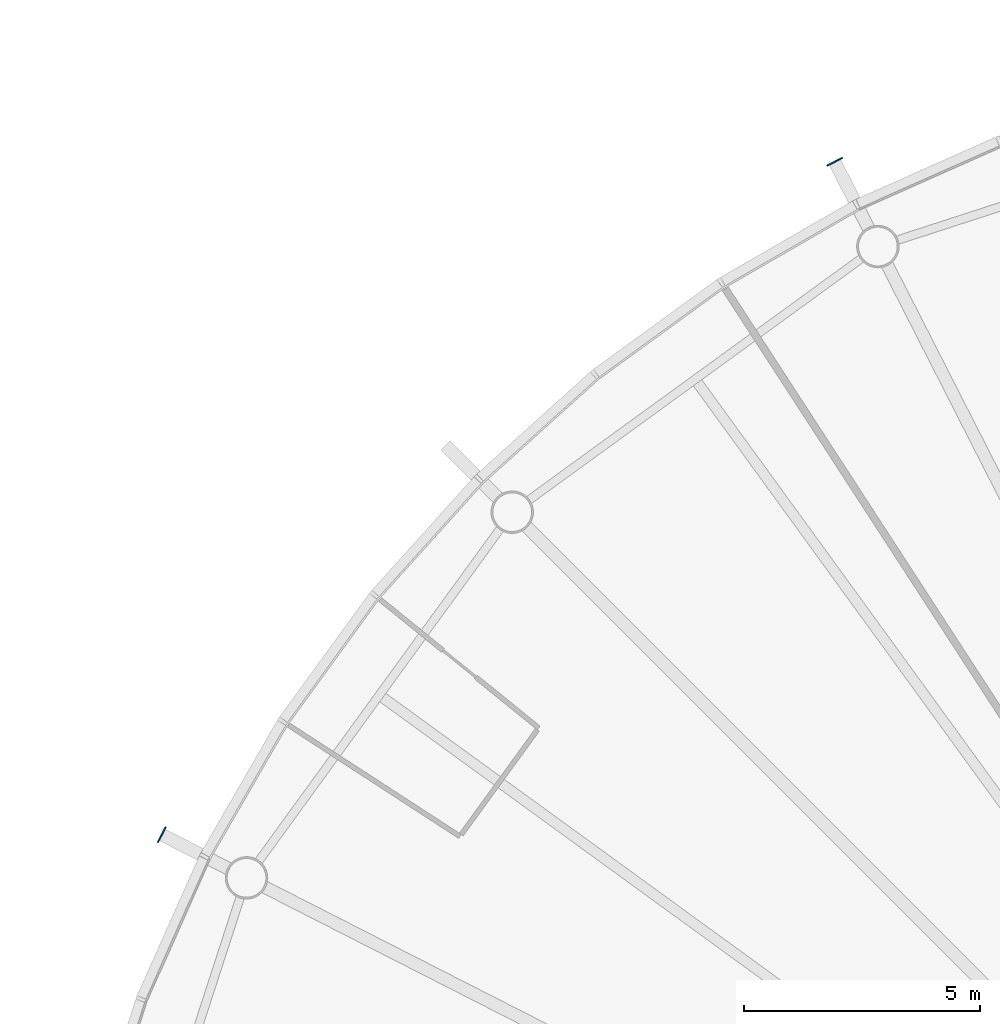
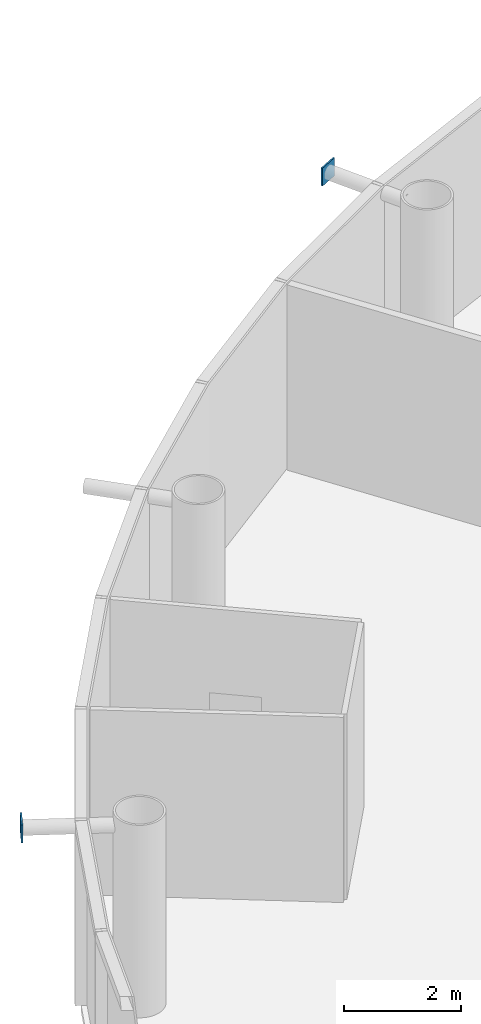
# One storey, part 10 of 19: 2 discrete accessories.
"""IFC4 building model written with IfcOpenShell, lengths in metres."""

from ifc_helpers import new_model, si_unit, direction, frame, origin, origin_2d, place, context, subcontext, project, spatial, rectangle, extrude, material, element, save


model = new_model("IFC4")

# Units and contexts
model_context = context("Model", 3, precision=1e-05, world=origin(), true_north=direction((0.0, 1.0)))
body_context = subcontext(model_context, "Body", "Model", "MODEL_VIEW")
ifc_project = project(units=[si_unit("LENGTHUNIT", "METRE"), si_unit("AREAUNIT", "SQUARE_METRE"), si_unit("VOLUMEUNIT", "CUBIC_METRE"), si_unit("PLANEANGLEUNIT", "RADIAN"), si_unit("MASSUNIT", "GRAM", prefix="KILO")], contexts=[model_context])

# Site, building, storey
site_placement = place(None, origin())
site = spatial("IfcSite", under=ifc_project, at=site_placement, CompositionType="ELEMENT")
building_placement = place(site_placement, origin())
building = spatial("IfcBuilding", under=site, at=building_placement, Name="Entoto Ring Tower", CompositionType="ELEMENT")
storey_placement = place(building_placement, frame((0.0, 0.0, 368.0)))
storey = spatial("IfcBuildingStorey", under=building, at=storey_placement, Name="L85", CompositionType="ELEMENT", Elevation=368.0)

# Discrete accessories
ifc_material = material(Name="Steel S355", Category="steel")
for number, where, z_axis, x_axis, name in (
    (1, (75.193115234375, 109.06005859375, 3.52685546875), (0.0, 0.0, 1.0), (-0.45399049974, 0.891006524188, 0.0), "Node strut end plate DS2 ring 27 06"),
    (2, (60.93994140625, 94.806884765625, 3.52685546875), (0.0, 0.0, 1.0), (-0.891006524188, 0.45399049974, 0.0), "Node strut end plate DS2 ring 27 08"),
):
    element("IfcDiscreteAccessory", number, at=place(storey_placement, frame(where, z_axis=z_axis, x_axis=x_axis)), inside=storey, material=ifc_material, Name=name, PredefinedType="BRACKET", context=body_context, shape_type="SweptSolid", body=[
        extrude(rectangle(XDim=0.030029296875, YDim=0.373046875, at=origin_2d()), origin(), (0.0, 0.0, 1.0), 0.373046875),
    ])

save(model, "model.ifc")
